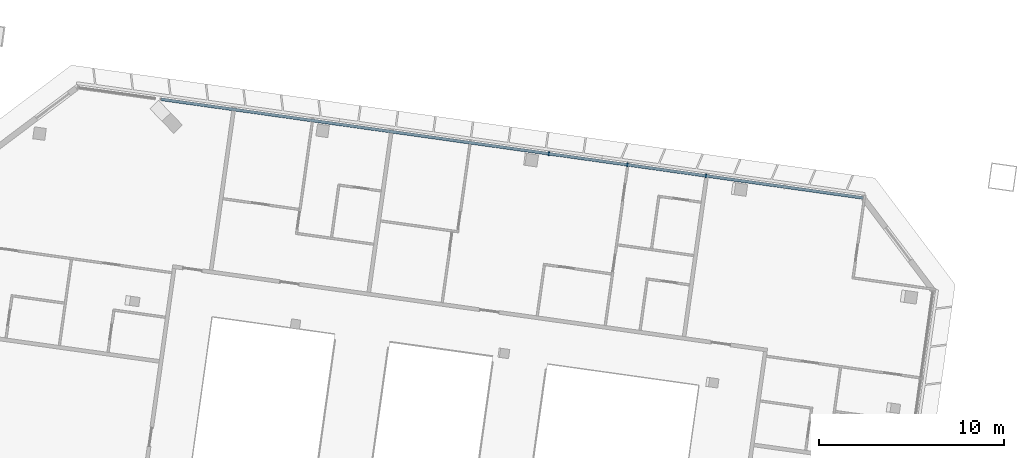
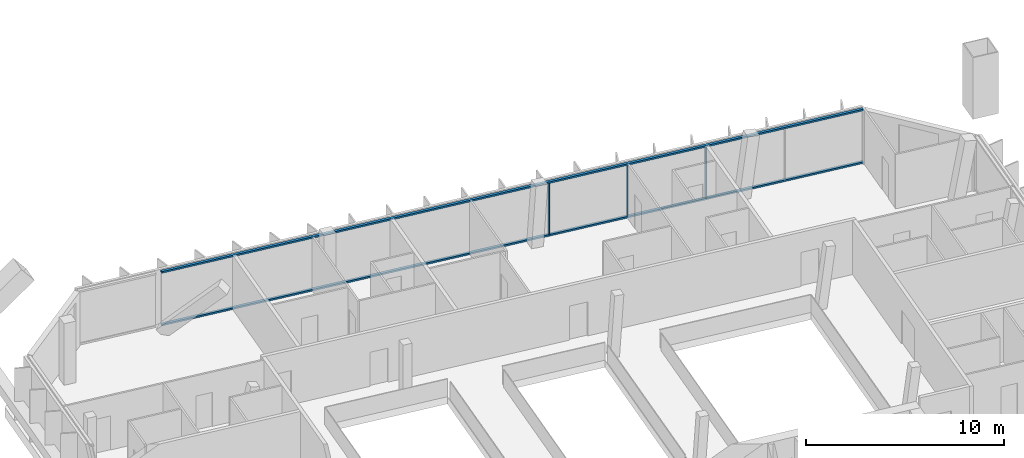
# One storey, part 7 of 26: 5 members, 1 element without a shape of its own.
"""IFC4 building model written with IfcOpenShell, lengths in metres."""

import ifcopenshell
import ifcopenshell.guid

model = None  # the IFC model being written
_history = None  # IfcOwnerHistory: only IFC2X3 demands one
_inside = {}  # id of a spatial element -> (the spatial element, [elements in it])
_under = {}  # id of a project, library or spatial element -> (it, [spatial elements below it])
_declared = {}  # id of a project -> (the project, [libraries it declares])
_typed = {}  # id of a type object -> (the type object, [elements of that type])
_made_of = {}  # id of a material, layer set ... -> (it, [elements and type objects made of it])


def new_model(schema):
    """Start an empty IFC model of exactly this schema.

    Asked for "IFC4X3", IfcOpenShell would pick the latest addendum, in which some entities
    have other attributes; the version numbers below select the first issue.
    IFC2X3 requires an IfcOwnerHistory on every rooted entity: one is made here for all.
    """
    global model, _history
    if schema == "IFC4X3":
        model = ifcopenshell.file(schema_version=(4, 3, 0, 0))
    else:
        model = ifcopenshell.file(schema=schema)
    _inside.clear()
    _under.clear()
    _declared.clear()
    _typed.clear()
    _made_of.clear()
    _history = None
    if model.schema == "IFC2X3":
        org = make("IfcOrganization", Name="unknown")
        user = make(
            "IfcPersonAndOrganization",
            ThePerson=make("IfcPerson", FamilyName="unknown"),
            TheOrganization=org,
        )
        app = make(
            "IfcApplication",
            ApplicationDeveloper=org,
            Version="unknown",
            ApplicationFullName="unknown",
            ApplicationIdentifier="unknown",
        )
        _history = make(
            "IfcOwnerHistory",
            OwningUser=user,
            OwningApplication=app,
            ChangeAction="ADDED",
            CreationDate=0,
        )
    return model


def make(cls, **values):
    """One entity of the class cls with the attributes given. An attribute that is None is left unset."""
    return model.create_entity(
        cls, **{name: value for name, value in values.items() if value is not None}
    )


def rooted(cls, **values):
    """An entity with a GlobalId (a new one), such as an element, a storey or a relation."""
    return make(cls, GlobalId=ifcopenshell.guid.new(), OwnerHistory=_history, **values)


def si_unit(unit_type, name, prefix=None):
    """IfcSIUnit, for example si_unit("LENGTHUNIT", "METRE", prefix="MILLI")."""
    return make("IfcSIUnit", UnitType=unit_type, Prefix=prefix, Name=name)


def assignment(units):
    """IfcUnitAssignment: the units of a project."""
    return None if units is None else make("IfcUnitAssignment", Units=units)


def point(xyz):
    """IfcCartesianPoint."""
    return None if xyz is None else make("IfcCartesianPoint", Coordinates=xyz)


def direction(xyz):
    """IfcDirection."""
    return None if xyz is None else make("IfcDirection", DirectionRatios=xyz)


def frame(location, z_axis=None, x_axis=None):
    """IfcAxis2Placement3D, a coordinate frame: its origin and axes. An axis left out is left unset."""
    return make(
        "IfcAxis2Placement3D",
        Location=point(location),
        Axis=direction(z_axis),
        RefDirection=direction(x_axis),
    )


def frame_2d(location, x_axis=None):
    """IfcAxis2Placement2D, a coordinate frame in the plane: its origin and x axis."""
    return make(
        "IfcAxis2Placement2D", Location=point(location), RefDirection=direction(x_axis)
    )


def origin():
    """The frame at (0, 0, 0) with its axes left unset."""
    return frame((0.0, 0.0, 0.0))


def origin_2d():
    """The frame at (0, 0) in the plane with its x axis left unset."""
    return frame_2d((0.0, 0.0))


def place(relative_to, where):
    """IfcLocalPlacement: puts the frame where relative to a parent placement (None: the world)."""
    return make(
        "IfcLocalPlacement", PlacementRelTo=relative_to, RelativePlacement=where
    )


def context(
    kind, dimensions, precision=None, world=None, true_north=None, identifier=None
):
    """IfcGeometricRepresentationContext, for example the 3D "Model" context."""
    return make(
        "IfcGeometricRepresentationContext",
        ContextIdentifier=identifier,
        ContextType=kind,
        CoordinateSpaceDimension=dimensions,
        Precision=precision,
        WorldCoordinateSystem=world,
        TrueNorth=true_north,
    )


def subcontext(parent, identifier, kind, view, scale=None):
    """IfcGeometricRepresentationSubContext, for example "Body" below "Model"."""
    return make(
        "IfcGeometricRepresentationSubContext",
        ContextIdentifier=identifier,
        ContextType=kind,
        ParentContext=parent,
        TargetScale=scale,
        TargetView=view,
    )


def project(units=None, contexts=None):
    """IfcProject with its units and contexts."""
    return rooted(
        "IfcProject",
        Name="project",
        RepresentationContexts=contexts,
        UnitsInContext=assignment(units),
    )


def spatial(cls, under=None, at=None, **own):
    """A site, building, storey or space (cls), placed at a placement, below another one or the project."""
    s = rooted(cls, ObjectPlacement=at, **own)
    if under is not None:
        _under.setdefault(under.id(), (under, []))[1].append(s)
    return s


def profile(cls, at=None, kind="AREA", **sizes):
    """A parametric profile (cls). Its sizes go by their IFC names, for example OverallWidth=200.0."""
    return make(cls, ProfileType=kind, Position=at, **sizes)


def rectangle(**sizes):
    """IfcRectangleProfileDef."""
    return profile("IfcRectangleProfileDef", **sizes)


def extrude(swept, where, along, depth):
    """IfcExtrudedAreaSolid: the profile swept, set in the frame where, extruded along a direction by depth."""
    return make(
        "IfcExtrudedAreaSolid",
        SweptArea=swept,
        Position=where,
        ExtrudedDirection=direction(along),
        Depth=depth,
    )


def shape(context_of_items, identifier, shape_type, items):
    """IfcShapeRepresentation: the items that make up one representation, for example the "Body"."""
    return make(
        "IfcShapeRepresentation",
        ContextOfItems=context_of_items,
        RepresentationIdentifier=identifier,
        RepresentationType=shape_type,
        Items=items,
    )


def material(Name=None, Category=None):
    """IfcMaterial."""
    return make("IfcMaterial", Name=Name, Category=Category)


def material_profile(
    of_material, cross_section, Name=None, Category=None, Priority=None
):
    """IfcMaterialProfile: a cross section and its material."""
    return make(
        "IfcMaterialProfile",
        Name=Name,
        Material=of_material,
        Profile=cross_section,
        Priority=Priority,
        Category=Category,
    )


def profile_set(profiles, Name=None, composite=None):
    """IfcMaterialProfileSet."""
    return make(
        "IfcMaterialProfileSet",
        Name=Name,
        MaterialProfiles=profiles,
        CompositeProfile=composite,
    )


def made_of(thing, what):
    """Note that an element or type object is made of a material, layer set ...; save() writes the relation."""
    if what is not None:
        _made_of.setdefault(what.id(), (what, []))[1].append(thing)
    return thing


def type_object(cls, material=None, **own):
    """A type object (cls), such as IfcWallType, which elements share."""
    return made_of(rooted(cls, **own), material)


def element(
    cls,
    number,
    at=None,
    inside=None,
    cuts=None,
    type_object=None,
    material=None,
    context=None,
    identifier="Body",
    shape_type=None,
    held_by="IfcProductDefinitionShape",
    body=None,
    shapes=None,
    **own,
):
    """One element of the class cls, such as IfcWall. Its Tag is "e" and its number.

    at: its placement. inside: the storey or other place that contains it. cuts: it is an
    opening in that element (IfcRelVoidsElement). A single representation is given by context,
    identifier, shape_type and body (its items); several are given by shapes. held_by: the class
    of the entity that holds the representations. save() writes the other relations.
    """
    e = rooted(cls, Tag="e%d" % number, ObjectPlacement=at, **own)
    if body is not None:
        shapes = [shape(context, identifier, shape_type, body)]
    if shapes is not None:
        e.Representation = make(held_by, Representations=shapes)
    if inside is not None:
        _inside.setdefault(inside.id(), (inside, []))[1].append(e)
    if cuts is not None:
        rooted(
            "IfcRelVoidsElement", RelatingBuildingElement=cuts, RelatedOpeningElement=e
        )
    if type_object is not None:
        _typed.setdefault(type_object.id(), (type_object, []))[1].append(e)
    return made_of(e, material)


def aggregate(whole, parts):
    """IfcRelAggregates: a whole, such as a stair, and the parts it consists of."""
    return rooted("IfcRelAggregates", RelatingObject=whole, RelatedObjects=parts)


def save(model, path):
    """Write the relations noted so far, then the file.

    IfcRelAggregates (storeys below a building ...), IfcRelContainedInSpatialStructure (elements
    in a storey), IfcRelDefinesByType, IfcRelAssociatesMaterial and IfcRelDeclares: one each for
    every whole, place, type object, material and project.
    """
    for whole, parts in _under.values():
        aggregate(whole, parts)
    for where, things in _inside.values():
        rooted(
            "IfcRelContainedInSpatialStructure",
            RelatedElements=things,
            RelatingStructure=where,
        )
    for kind, things in _typed.values():
        rooted("IfcRelDefinesByType", RelatedObjects=things, RelatingType=kind)
    for what, things in _made_of.values():
        rooted("IfcRelAssociatesMaterial", RelatedObjects=things, RelatingMaterial=what)
    for by, libraries in _declared.values():
        rooted("IfcRelDeclares", RelatingContext=by, RelatedDefinitions=libraries)
    model.write(path)


model = new_model("IFC4")

# Units and contexts
model_context = context("Model", 3, precision=1e-05, world=origin(), true_north=direction((0.0, 1.0)))
body_context = subcontext(model_context, "Body", "Model", "MODEL_VIEW")
ifc_project = project(units=[si_unit("LENGTHUNIT", "METRE"), si_unit("AREAUNIT", "SQUARE_METRE"), si_unit("VOLUMEUNIT", "CUBIC_METRE"), si_unit("PLANEANGLEUNIT", "RADIAN"), si_unit("MASSUNIT", "GRAM", prefix="KILO")], contexts=[model_context])

# Site, building, storey
site_placement = place(None, origin())
site = spatial("IfcSite", under=ifc_project, at=site_placement, CompositionType="ELEMENT")
building_placement = place(site_placement, origin())
building = spatial("IfcBuilding", under=site, at=building_placement, Name="Mirante Cascada Hotel Towers", CompositionType="ELEMENT")
storey_placement = place(building_placement, frame((0.0, 0.0, 228.0)))
storey = spatial("IfcBuildingStorey", under=building, at=storey_placement, Name="L54", CompositionType="ELEMENT", Elevation=228.0)

# Curtain wall, members
ifc_material_1 = material(Name="Aluminium mullion and transom frame with clear laminated glass", Category="aluminium")
curtain_wall_type = type_object("IfcCurtainWallType", Name="Ribbon curtain wall ECW1", PredefinedType="NOTDEFINED", material=ifc_material_1)
curtain_wall_placement = place(storey_placement, origin())
curtain_wall = element("IfcCurtainWall", 1, at=curtain_wall_placement, inside=storey, type_object=curtain_wall_type, Name="Front ribbon wall T1 L54", PredefinedType="NOTDEFINED")
ifc_material_2 = material(Name="Anodised aluminium extrusion", Category="aluminium")
ifc_material_profile_1 = material_profile(ifc_material_2, rectangle(XDim=0.2, YDim=0.065, at=origin_2d()), Name="ECW1 MULLION 65x200")
ifc_profile_set_1 = profile_set([ifc_material_profile_1], Name="Anodised aluminium extrusion")
member_type_1 = type_object("IfcMemberType", Name="ECW1 mullion 65x200", PredefinedType="MULLION", material=ifc_profile_set_1)
member_1_placement = place(storey_placement, frame((-41.9825, 18.7193, 0.1), z_axis=(0.0, 0.0, 1.0), x_axis=(0.1391731, 0.9902681, 0.0)))
member_1 = element("IfcMember", 2, at=member_1_placement, type_object=member_type_1, Name="ECW1 mullion 7", PredefinedType="MULLION", context=body_context, shape_type="SweptSolid", body=[
    extrude(rectangle(XDim=0.2, YDim=0.065, at=origin_2d()), origin(), (0.0, 0.0, 1.0), 3.15),
])
member_2_placement = place(storey_placement, frame((-37.7428, 18.1234, 0.1), z_axis=(0.0, 0.0, 1.0), x_axis=(0.1391731, 0.9902681, 0.0)))
member_2 = element("IfcMember", 3, at=member_2_placement, type_object=member_type_1, Name="ECW1 mullion 8", PredefinedType="MULLION", context=body_context, shape_type="SweptSolid", body=[
    extrude(rectangle(XDim=0.2, YDim=0.065, at=origin_2d()), origin(), (0.0, 0.0, 1.0), 3.15),
])
member_3_placement = place(storey_placement, frame((-33.503, 17.5276, 0.1), z_axis=(0.0, 0.0, 1.0), x_axis=(0.1391731, 0.9902681, 0.0)))
member_3 = element("IfcMember", 4, at=member_3_placement, type_object=member_type_1, Name="ECW1 mullion 9", PredefinedType="MULLION", context=body_context, shape_type="SweptSolid", body=[
    extrude(rectangle(XDim=0.2, YDim=0.065, at=origin_2d()), origin(), (0.0, 0.0, 1.0), 3.15),
])
ifc_material_3 = material(Name="Anodised aluminium extrusion", Category="aluminium")
ifc_material_profile_2 = material_profile(ifc_material_3, rectangle(XDim=0.16, YDim=0.1, at=origin_2d()), Name="ECW1 TRANSOM 100x160")
ifc_profile_set_2 = profile_set([ifc_material_profile_2], Name="Anodised aluminium extrusion")
member_type_2 = type_object("IfcMemberType", Name="ECW1 transom 100x160", PredefinedType="USERDEFINED", material=ifc_profile_set_2)
member_4_placement = place(storey_placement, frame((-62.9106, 21.6605, 0.05), z_axis=(0.9902683, -0.1391713, 0.0), x_axis=(0.1391713, 0.9902683, 0.0)))
member_4 = element("IfcMember", 5, at=member_4_placement, type_object=member_type_2, Name="ECW1 sill transom", ObjectType="TRANSOM", PredefinedType="USERDEFINED", context=body_context, shape_type="SweptSolid", body=[
    extrude(rectangle(XDim=0.16, YDim=0.1, at=origin_2d()), origin(), (0.0, 0.0, 1.0), 38.2593),
])
member_5_placement = place(storey_placement, frame((-62.9106, 21.6605, 3.3), z_axis=(0.9902683, -0.1391713, 0.0), x_axis=(0.1391713, 0.9902683, 0.0)))
member_5 = element("IfcMember", 6, at=member_5_placement, type_object=member_type_2, Name="ECW1 head transom", ObjectType="TRANSOM", PredefinedType="USERDEFINED", context=body_context, shape_type="SweptSolid", body=[
    extrude(rectangle(XDim=0.16, YDim=0.1, at=origin_2d()), origin(), (0.0, 0.0, 1.0), 38.2593),
])
aggregate(curtain_wall, [member_4, member_5, member_1, member_2, member_3])

save(model, "model.ifc")
